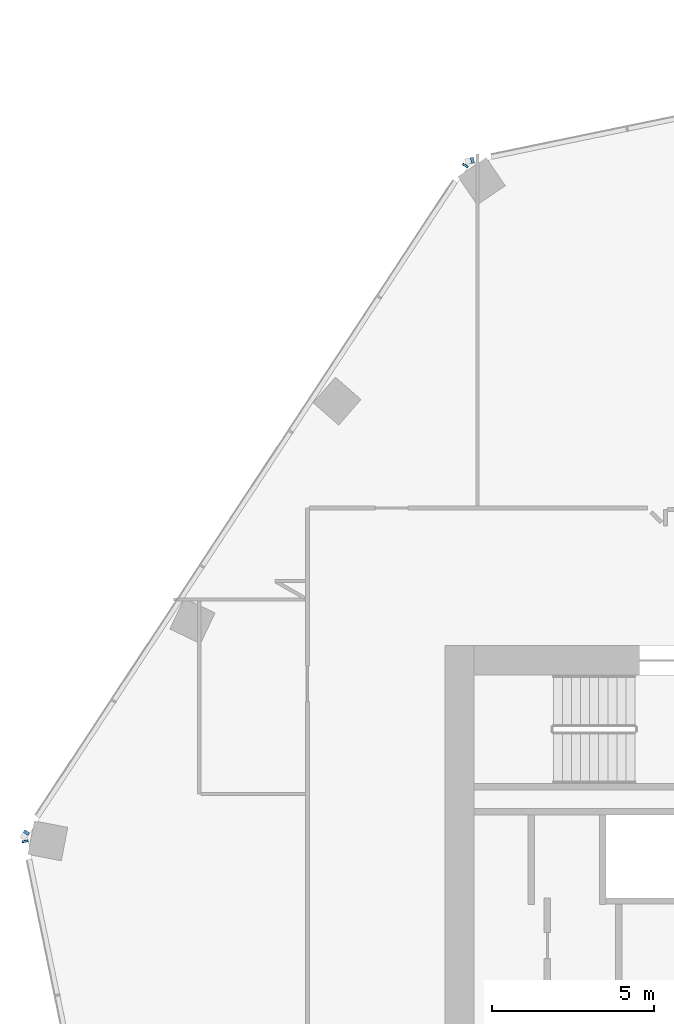
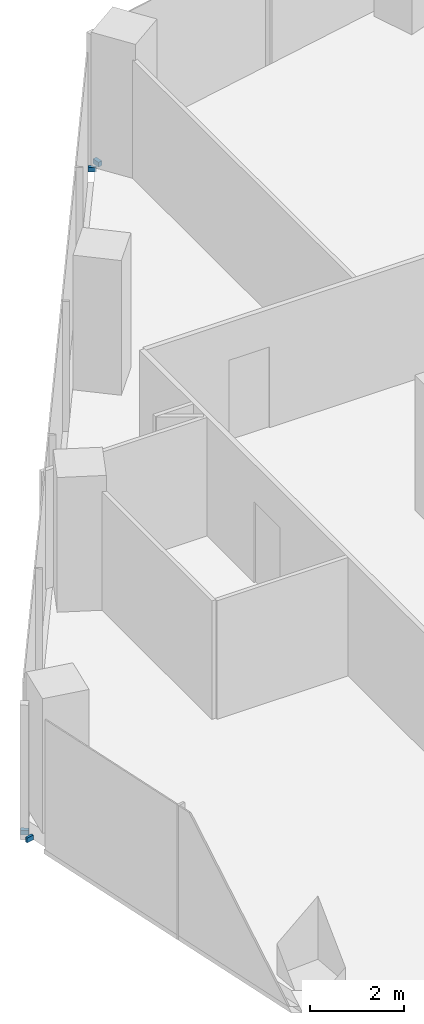
# One storey, part 14 of 24: 4 members, 3 elements without a shape of their own.
"""IFC4 building model written with IfcOpenShell, lengths in metres."""

from ifc_helpers import new_model, si_unit, direction, frame, origin, origin_2d, place, context, subcontext, project, spatial, rectangle, extrude, material, material_profile, profile_set, type_object, element, aggregate, save


model = new_model("IFC4")

# Units and contexts
model_context = context("Model", 3, precision=1e-05, world=origin(), true_north=direction((0.0, 1.0)))
body_context = subcontext(model_context, "Body", "Model", "MODEL_VIEW")
ifc_project = project(units=[si_unit("LENGTHUNIT", "METRE"), si_unit("AREAUNIT", "SQUARE_METRE"), si_unit("VOLUMEUNIT", "CUBIC_METRE"), si_unit("PLANEANGLEUNIT", "RADIAN"), si_unit("MASSUNIT", "GRAM", prefix="KILO")], contexts=[model_context])

# Site, building, storey
site_placement = place(None, origin())
site = spatial("IfcSite", under=ifc_project, at=site_placement, CompositionType="ELEMENT")
building_placement = place(site_placement, origin())
building = spatial("IfcBuilding", under=site, at=building_placement, Name="Orlundy Tower", CompositionType="ELEMENT")
storey_placement = place(building_placement, frame((0.0, 0.0, 242.5)))
storey = spatial("IfcBuildingStorey", under=building, at=storey_placement, Name="L64", CompositionType="ELEMENT", Elevation=242.5)

# Curtain wall, member
ifc_material_1 = material(Name="Aluminium bronze anodised", Category="aluminium")
curtain_wall_type = type_object("IfcCurtainWallType", Name="CW1 wall", PredefinedType="NOTDEFINED", material=ifc_material_1)
curtain_wall_1_placement = place(storey_placement, origin())
curtain_wall_1 = element("IfcCurtainWall", 1, at=curtain_wall_1_placement, inside=storey, type_object=curtain_wall_type, Name="CW1 run 014", PredefinedType="NOTDEFINED")
ifc_material_2 = material(Name="Aluminium bronze anodised", Category="aluminium")
ifc_material_profile = material_profile(ifc_material_2, rectangle(XDim=0.179931640625, YDim=0.1201171875, at=origin_2d()), Name="CW1 transom 180x120")
ifc_profile_set = profile_set([ifc_material_profile], Name="Aluminium bronze anodised")
member_type = type_object("IfcMemberType", Name="CW1 transom 180x120", PredefinedType="USERDEFINED", material=ifc_profile_set)
member_1_placement = place(storey_placement, frame((-31.95068359375, 5.93701171875, -0.340087890625), z_axis=(-0.200746559424, 0.97964320999, 0.0), x_axis=(-0.97964320999, -0.200746559424, 0.0)))
member_1 = element("IfcMember", 2, at=member_1_placement, type_object=member_type, Name="CW1 transom", ObjectType="TRANSOM", PredefinedType="USERDEFINED", context=body_context, shape_type="SweptSolid", body=[
    extrude(rectangle(XDim=0.179931640625, YDim=0.1201171875, at=origin_2d()), origin(), (0.0, 0.0, 1.0), 0.060791015625),
])
aggregate(curtain_wall_1, [member_1])

# Curtain wall, members
curtain_wall_2_placement = place(storey_placement, origin())
curtain_wall_2 = element("IfcCurtainWall", 3, at=curtain_wall_2_placement, inside=storey, type_object=curtain_wall_type, Name="CW1 run 015", PredefinedType="NOTDEFINED")
member_2_placement = place(storey_placement, frame((-31.939208984375, 6.196533203125, -0.340087890625), z_axis=(0.550668630436, 0.834723942063, 0.0), x_axis=(-0.834723942063, 0.550668630436, 0.0)))
member_2 = element("IfcMember", 4, at=member_2_placement, type_object=member_type, Name="CW1 transom", ObjectType="TRANSOM", PredefinedType="USERDEFINED", context=body_context, shape_type="SweptSolid", body=[
    extrude(rectangle(XDim=0.179931640625, YDim=0.1201171875, at=origin_2d()), origin(), (0.0, 0.0, 1.0), 0.097900390625),
])
member_3_placement = place(storey_placement, frame((-18.393798828125, 26.791015625, -0.340087890625), z_axis=(0.550955079868, 0.834534900389, 0.0), x_axis=(-0.834534900389, 0.550955079868, 0.0)))
member_3 = element("IfcMember", 5, at=member_3_placement, type_object=member_type, Name="CW1 transom", ObjectType="TRANSOM", PredefinedType="USERDEFINED", context=body_context, shape_type="SweptSolid", body=[
    extrude(rectangle(XDim=0.179931640625, YDim=0.1201171875, at=origin_2d()), origin(), (0.0, 0.0, 1.0), 0.060302734375),
])
aggregate(curtain_wall_2, [member_2, member_3])

# Curtain wall, member
curtain_wall_3_placement = place(storey_placement, origin())
curtain_wall_3 = element("IfcCurtainWall", 6, at=curtain_wall_3_placement, inside=storey, type_object=curtain_wall_type, Name="CW1 run 016", PredefinedType="NOTDEFINED")
member_4_placement = place(storey_placement, frame((-18.20263671875, 26.9658203125, -0.340087890625), z_axis=(0.979208986995, 0.202854035669, 0.0), x_axis=(-0.202854035669, 0.979208986995, 0.0)))
member_4 = element("IfcMember", 7, at=member_4_placement, type_object=member_type, Name="CW1 transom", ObjectType="TRANSOM", PredefinedType="USERDEFINED", context=body_context, shape_type="SweptSolid", body=[
    extrude(rectangle(XDim=0.179931640625, YDim=0.1201171875, at=origin_2d()), origin(), (0.0, 0.0, 1.0), 0.097412109375),
])
aggregate(curtain_wall_3, [member_4])

save(model, "model.ifc")
